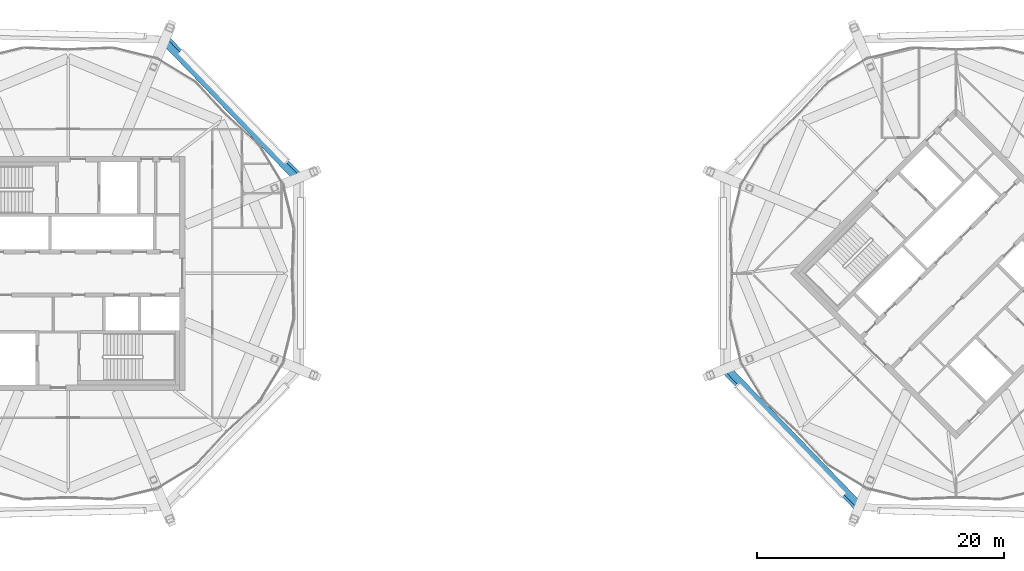
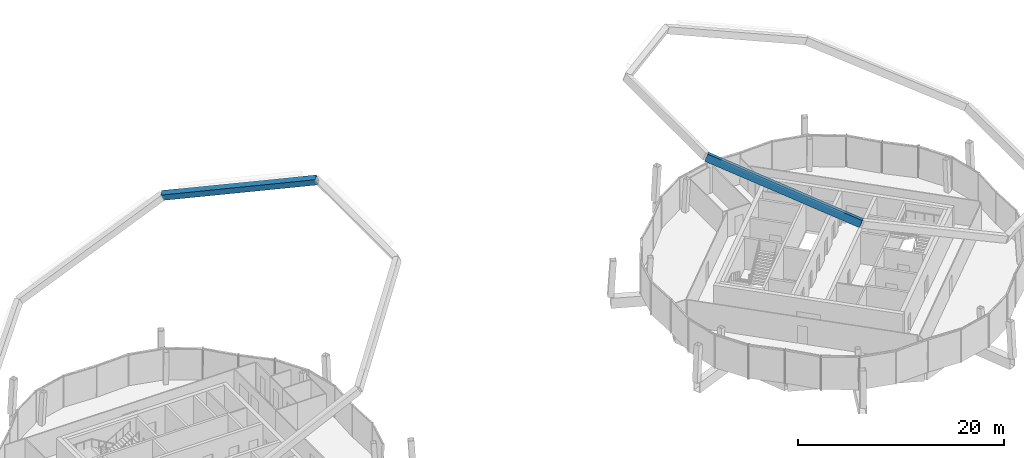
# One storey, part 13 of 34: 2 beams.
"""IFC4 building model written with IfcOpenShell, lengths in metres."""

from ifc_helpers import new_model, si_unit, direction, frame, origin, origin_2d, place, context, subcontext, project, spatial, hollow_rectangle, extrude, material, material_profile, profile_set, type_object, element, save


model = new_model("IFC4")

# Units and contexts
model_context = context("Model", 3, precision=1e-05, world=origin(), true_north=direction((0.0, 1.0)))
body_context = subcontext(model_context, "Body", "Model", "MODEL_VIEW")
ifc_project = project(units=[si_unit("LENGTHUNIT", "METRE"), si_unit("AREAUNIT", "SQUARE_METRE"), si_unit("VOLUMEUNIT", "CUBIC_METRE"), si_unit("PLANEANGLEUNIT", "RADIAN"), si_unit("MASSUNIT", "GRAM", prefix="KILO")], contexts=[model_context])

# Site, building, storey
site_placement = place(None, origin())
site = spatial("IfcSite", under=ifc_project, at=site_placement, CompositionType="ELEMENT")
building_placement = place(site_placement, origin())
building = spatial("IfcBuilding", under=site, at=building_placement, Name="Ogive Gate Towers", CompositionType="ELEMENT")
storey_placement = place(building_placement, frame((0.0, 0.0, 294.0)))
storey = spatial("IfcBuildingStorey", under=building, at=storey_placement, Name="L69", CompositionType="ELEMENT", Elevation=294.0)

# Beams
ifc_material = material(Name="Steel SM460", Category="steel")
ifc_material_profile = material_profile(ifc_material, hollow_rectangle(XDim=0.60009765625, YDim=0.800048828125, WallThickness=0.0400390625, at=origin_2d()), Name="BX 800x600x40")
ifc_profile_set = profile_set([ifc_material_profile], Name="Steel SM460")
beam_type = type_object("IfcBeamType", Name="Crown ring beam BX 800x600x40", PredefinedType="BEAM", material=ifc_profile_set)
for number, where, z_axis, x_axis, name in (
    (1, (-17.31591796875, 7.7392578125, 25.42041015625), (-0.663304569552, 0.687001493835, -0.296742304838), (0.627106049729, 0.726656003529, 0.280551340986), "T1/L69/SBM001"),
    (2, (17.31591796875, -7.7392578125, 25.42041015625), (0.663304569552, -0.687001493835, -0.296742304838), (-0.627106049729, -0.726656003529, 0.280551340986), "T2/L69/SBM005"),
):
    element("IfcBeam", number, at=place(storey_placement, frame(where, z_axis=z_axis, x_axis=x_axis)), inside=storey, type_object=beam_type, Name=name, PredefinedType="BEAM", context=body_context, shape_type="SweptSolid", body=[
        extrude(hollow_rectangle(XDim=0.60009765625, YDim=0.800048828125, WallThickness=0.0400390625, at=origin_2d()), origin(), (0.0, 0.0, 1.0), 16.32958984375),
    ])

save(model, "model.ifc")
